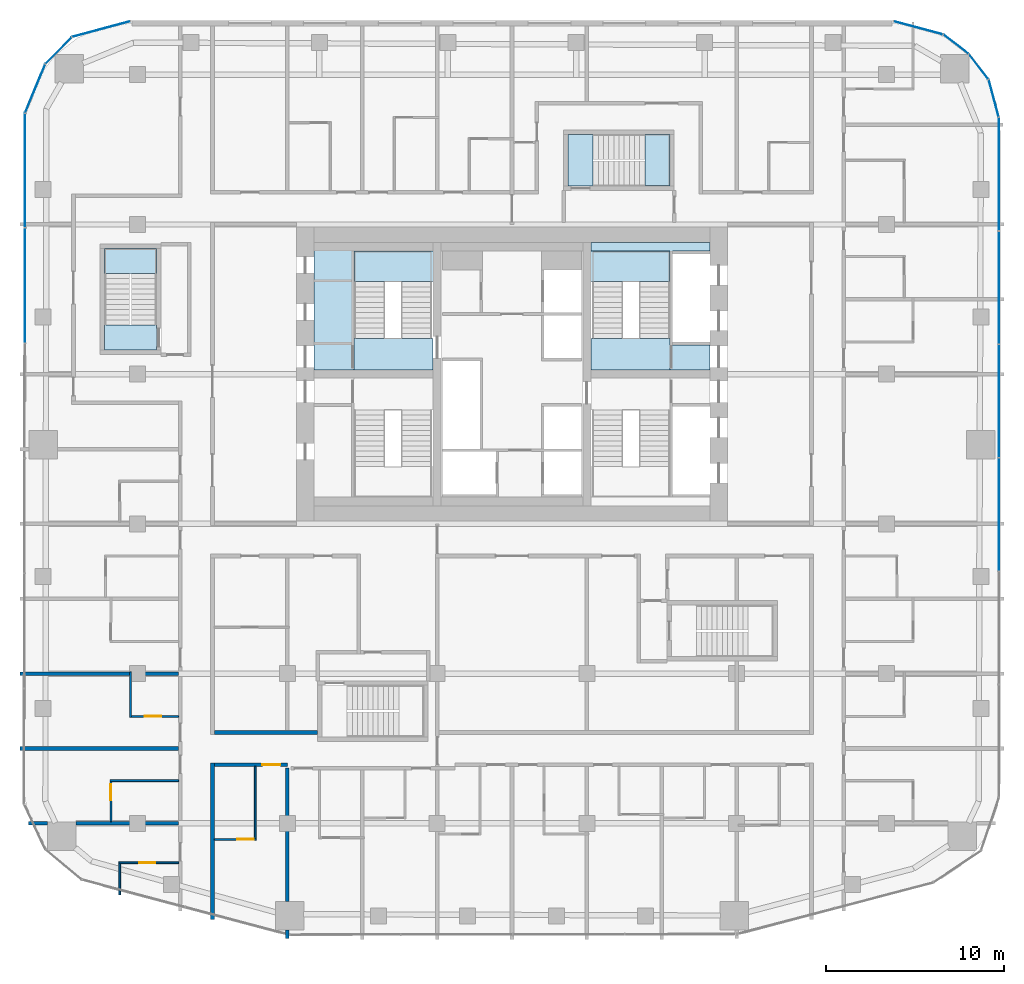
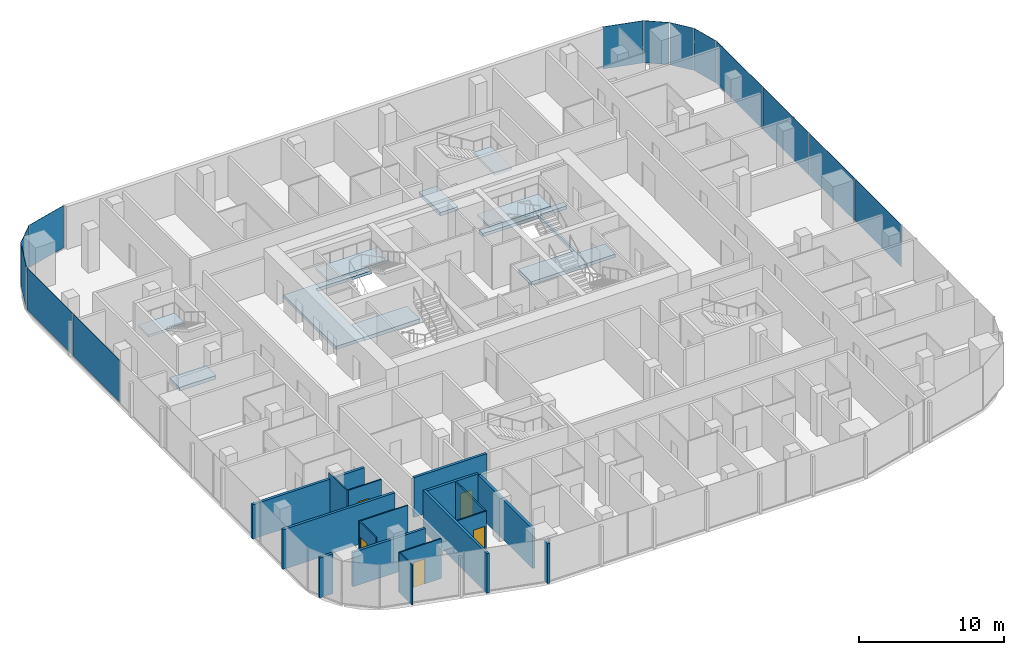
# One storey, part 13 of 23: 17 walls, 13 plates, 10 slabs, 5 doors, 5 openings, 13 elements without a shape of their own.
"""IFC4 building model written with IfcOpenShell, lengths in metres."""

from ifc_helpers import new_model, si_unit, direction, frame, frame_2d, origin, origin_2d, place, context, subcontext, project, spatial, polyline, rectangle, outline, extrude, material, layer, layer_set, type_object, element, fill, aggregate, save


model = new_model("IFC4")

# Units and contexts
model_context = context("Model", 3, precision=1e-05, world=origin(), true_north=direction((0.0, 1.0)))
body_context = subcontext(model_context, "Body", "Model", "MODEL_VIEW")
ifc_project = project(units=[si_unit("LENGTHUNIT", "METRE"), si_unit("AREAUNIT", "SQUARE_METRE"), si_unit("VOLUMEUNIT", "CUBIC_METRE"), si_unit("PLANEANGLEUNIT", "RADIAN"), si_unit("MASSUNIT", "GRAM", prefix="KILO")], contexts=[model_context])

# Site, building, storey
site_placement = place(None, origin())
site = spatial("IfcSite", under=ifc_project, at=site_placement, CompositionType="ELEMENT")
building_placement = place(site_placement, origin())
building = spatial("IfcBuilding", under=site, at=building_placement, Name="Marenta Gate Hotel Tower", CompositionType="ELEMENT")
storey_placement = place(building_placement, frame((0.0, 0.0, 104.89990234375)))
storey = spatial("IfcBuildingStorey", under=building, at=storey_placement, Name="L22", CompositionType="ELEMENT", Elevation=104.89990234375)

# Slabs
ifc_material_1 = material(Name="Concrete C40", Category="concrete")
ifc_layer_1 = layer(ifc_material_1, 0.260009765625)
ifc_layer_set_1 = layer_set([ifc_layer_1], Name="Concrete C40")
slab_type_1 = type_object("IfcSlabType", Name="Core floor slab 260", PredefinedType="FLOOR", material=ifc_layer_set_1)
slab_1_placement = place(storey_placement, frame((0.0, 0.0, -0.260009765625)))
element("IfcSlab", 1, at=slab_1_placement, inside=storey, type_object=slab_type_1, Name="L22-CF-3", PredefinedType="FLOOR", context=body_context, shape_type="SweptSolid", body=[
    extrude(outline(polyline([(8.85009765625, 15.300048828125), (4.425048828125, 15.300048828125), (4.425048828125, 15.800048828125), (11.10009765625, 15.800048828125), (11.10009765625, 15.300048828125), (9.0, 15.300048828125), (9.0, 15.14990234375), (9.0, 12.75), (9.0, 12.60009765625), (9.0, 10.199951171875), (9.0, 10.050048828125), (11.10009765625, 10.050048828125), (11.10009765625, 8.625), (8.85009765625, 8.625), (8.85009765625, 8.699951171875), (8.85009765625, 10.39990234375), (8.85009765625, 15.300048828125)])), origin(), (0.0, 0.0, 1.0), 0.260009765625),
])
slab_2_placement = place(storey_placement, frame((0.0, 0.0, -0.260009765625)))
element("IfcSlab", 2, at=slab_2_placement, inside=storey, type_object=slab_type_1, Name="L22-CF-6", PredefinedType="FLOOR", context=body_context, shape_type="SweptSolid", body=[
    extrude(outline(polyline([(-4.425048828125, 15.300048828125), (-8.85009765625, 15.300048828125), (-8.85009765625, 10.39990234375), (-8.85009765625, 8.699951171875), (-8.85009765625, 8.625), (-11.10009765625, 8.625), (-11.10009765625, 15.800048828125), (-4.425048828125, 15.800048828125), (-4.425048828125, 15.300048828125)])), origin(), (0.0, 0.0, 1.0), 0.260009765625),
])

# Stair, slab
ifc_material_2 = material(Name="Concrete C40", Category="concrete")
stair_type_1 = type_object("IfcStairType", Name="Core exit stair 1700 wide", PredefinedType="HALF_TURN_STAIR", material=ifc_material_2)
stair_1_placement = place(storey_placement, origin())
stair_1 = element("IfcStair", 3, at=stair_1_placement, inside=storey, type_object=stair_type_1, Name="Exit stair 2", PredefinedType="HALF_TURN_STAIR")
ifc_material_3 = material(Name="Concrete C40", Category="concrete")
ifc_layer_2 = layer(ifc_material_3, 0.199951171875)
ifc_layer_set_2 = layer_set([ifc_layer_2], Name="Concrete C40")
slab_type_2 = type_object("IfcSlabType", Name="Core stair landing 200", PredefinedType="LANDING", material=ifc_layer_set_2)
slab_3_placement = place(storey_placement, frame((0.0, 0.0, 1.60009765625)))
slab_3 = element("IfcSlab", 4, at=slab_3_placement, type_object=slab_type_2, Name="SL-200 ST2 landing 1", PredefinedType="LANDING", context=body_context, shape_type="SweptSolid", body=[
    extrude(outline(polyline([(-8.85009765625, 13.590087890625), (-3.97509765625, 13.590087890625), (-3.97509765625, 15.300048828125), (-8.85009765625, 15.300048828125), (-8.85009765625, 13.590087890625)])), origin(), (0.0, 0.0, 1.0), 0.199951171875),
])
aggregate(stair_1, [slab_3])

stair_2_placement = place(storey_placement, origin())
stair_2 = element("IfcStair", 5, at=stair_2_placement, inside=storey, type_object=stair_type_1, Name="Exit stair 4", PredefinedType="HALF_TURN_STAIR")
slab_4_placement = place(storey_placement, frame((0.0, 0.0, 1.60009765625)))
slab_4 = element("IfcSlab", 6, at=slab_4_placement, type_object=slab_type_2, Name="SL-200 ST4 landing 1", PredefinedType="LANDING", context=body_context, shape_type="SweptSolid", body=[
    extrude(outline(polyline([(3.97509765625, 13.590087890625), (8.85009765625, 13.590087890625), (8.85009765625, 15.300048828125), (3.97509765625, 15.300048828125), (3.97509765625, 13.590087890625)])), origin(), (0.0, 0.0, 1.0), 0.199951171875),
])
aggregate(stair_2, [slab_4])

# Curtain wall, plate
ifc_material_4 = material(Name="Tinted insulated glass in bronze anodised frame", Category="glass")
ifc_layer_3 = layer(ifc_material_4, 0.1201171875)
ifc_layer_set_3 = layer_set([ifc_layer_3], Name="Tinted insulated glass in bronze anodised frame")
curtain_wall_type = type_object("IfcCurtainWallType", Name="Tower unitised curtain wall CW1", PredefinedType="NOTDEFINED", material=ifc_layer_set_3)
curtain_wall_1_placement = place(storey_placement, origin())
curtain_wall_1 = element("IfcCurtainWall", 7, at=curtain_wall_1_placement, inside=storey, type_object=curtain_wall_type, Name="CW1 run G00", PredefinedType="NOTDEFINED")
ifc_material_5 = material(Name="Tinted insulated glass", Category="glass")
ifc_layer_4 = layer(ifc_material_5, 0.028076171875)
ifc_layer_set_4 = layer_set([ifc_layer_4], Name="Tinted insulated glass")
plate_type = type_object("IfcPlateType", Name="Glass panel CW1 28 mm tinted insulated unit", PredefinedType="CURTAIN_PANEL", material=ifc_layer_set_4)
plate_1_placement = place(storey_placement, frame((-23.04052734375, 27.759765625, 0.06005859375), z_axis=(0.0, 0.0, 1.0), x_axis=(-0.96593059835, -0.258801234873, 0.0)))
plate_1 = element("IfcPlate", 8, at=plate_1_placement, type_object=plate_type, Name="CW1 panel 1.1", PredefinedType="CURTAIN_PANEL", context=body_context, shape_type="SweptSolid", body=[
    extrude(rectangle(XDim=3.366943359375, YDim=0.028076171875, at=origin_2d()), origin(), (0.0, 0.0, 1.0), 3.5400390625),
])
aggregate(curtain_wall_1, [plate_1])

curtain_wall_2_placement = place(storey_placement, origin())
curtain_wall_2 = element("IfcCurtainWall", 9, at=curtain_wall_2_placement, inside=storey, type_object=curtain_wall_type, Name="CW1 run G01", PredefinedType="NOTDEFINED")
plate_2_placement = place(storey_placement, frame((-25.440673828125, 26.550048828125, 0.06005859375), z_axis=(0.0, 0.0, 1.0), x_axis=(-0.707106781187, -0.707106781187, 0.0)))
plate_2 = element("IfcPlate", 10, at=plate_2_placement, type_object=plate_type, Name="CW1 panel 1.1", PredefinedType="CURTAIN_PANEL", context=body_context, shape_type="SweptSolid", body=[
    extrude(rectangle(XDim=2.069091796875, YDim=0.028076171875, at=origin_2d()), origin(), (0.0, 0.0, 1.0), 3.5400390625),
])
aggregate(curtain_wall_2, [plate_2])

curtain_wall_3_placement = place(storey_placement, origin())
curtain_wall_3 = element("IfcCurtainWall", 11, at=curtain_wall_3_placement, inside=storey, type_object=curtain_wall_type, Name="CW1 run G02", PredefinedType="NOTDEFINED")
plate_3_placement = place(storey_placement, frame((-26.75390625, 24.41455078125, 0.06005859375), z_axis=(0.0, 0.0, 1.0), x_axis=(-0.382671975111, -0.923884278178, 0.0)))
plate_3 = element("IfcPlate", 12, at=plate_3_placement, type_object=plate_type, Name="CW1 panel 1.1", PredefinedType="CURTAIN_PANEL", context=body_context, shape_type="SweptSolid", body=[
    extrude(rectangle(XDim=2.919189453125, YDim=0.028076171875, at=origin_2d()), origin(), (0.0, 0.0, 1.0), 3.5400390625),
])
aggregate(curtain_wall_3, [plate_3])

# Curtain wall, plates
curtain_wall_4_placement = place(storey_placement, origin())
curtain_wall_4 = element("IfcCurtainWall", 13, at=curtain_wall_4_placement, inside=storey, type_object=curtain_wall_type, Name="CW1 run G03", PredefinedType="NOTDEFINED")
plate_4_placement = place(storey_placement, frame((-27.3173828125, 19.8212890625, 0.06005859375), z_axis=(0.0, 0.0, 1.0), x_axis=(-0.001566045546, -0.99999877375, 0.0)))
plate_4 = element("IfcPlate", 14, at=plate_4_placement, type_object=plate_type, Name="CW1 panel 1.1", PredefinedType="CURTAIN_PANEL", context=body_context, shape_type="SweptSolid", body=[
    extrude(rectangle(XDim=6.3701171875, YDim=0.028076171875, at=origin_2d()), origin(), (0.0, 0.0, 1.0), 3.5400390625),
])
plate_5_placement = place(storey_placement, frame((-27.327392578125, 13.376220703125, 0.06005859375), z_axis=(0.0, 0.0, 1.0), x_axis=(-0.001566045546, -0.99999877375, 0.0)))
plate_5 = element("IfcPlate", 15, at=plate_5_placement, type_object=plate_type, Name="CW1 panel 2.1", PredefinedType="CURTAIN_PANEL", context=body_context, shape_type="SweptSolid", body=[
    extrude(rectangle(XDim=6.39990234375, YDim=0.028076171875, at=origin_2d()), origin(), (0.0, 0.0, 1.0), 3.5400390625),
])
aggregate(curtain_wall_4, [plate_4, plate_5])

curtain_wall_5_placement = place(storey_placement, origin())
curtain_wall_5 = element("IfcCurtainWall", 16, at=curtain_wall_5_placement, inside=storey, type_object=curtain_wall_type, Name="CW1 run G11", PredefinedType="NOTDEFINED")
plate_6_placement = place(storey_placement, frame((27.31396484375, 0.531982421875, 0.06005859375), z_axis=(0.0, 0.0, 1.0), x_axis=(0.0, 1.0, 0.0)))
plate_6 = element("IfcPlate", 17, at=plate_6_placement, type_object=plate_type, Name="CW1 panel 3.1", PredefinedType="CURTAIN_PANEL", context=body_context, shape_type="SweptSolid", body=[
    extrude(rectangle(XDim=6.300048828125, YDim=0.028076171875, at=origin_2d()), origin(), (0.0, 0.0, 1.0), 3.5400390625),
])
plate_7_placement = place(storey_placement, frame((27.31396484375, 6.891845703125, 0.06005859375), z_axis=(0.0, 0.0, 1.0), x_axis=(0.0, 1.0, 0.0)))
plate_7 = element("IfcPlate", 18, at=plate_7_placement, type_object=plate_type, Name="CW1 panel 4.1", PredefinedType="CURTAIN_PANEL", context=body_context, shape_type="SweptSolid", body=[
    extrude(rectangle(XDim=6.300048828125, YDim=0.028076171875, at=origin_2d()), origin(), (0.0, 0.0, 1.0), 3.5400390625),
])
plate_8_placement = place(storey_placement, frame((27.31396484375, 13.251953125, 0.06005859375), z_axis=(0.0, 0.0, 1.0), x_axis=(0.0, 1.0, 0.0)))
plate_8 = element("IfcPlate", 19, at=plate_8_placement, type_object=plate_type, Name="CW1 panel 5.1", PredefinedType="CURTAIN_PANEL", context=body_context, shape_type="SweptSolid", body=[
    extrude(rectangle(XDim=6.300048828125, YDim=0.028076171875, at=origin_2d()), origin(), (0.0, 0.0, 1.0), 3.5400390625),
])
plate_9_placement = place(storey_placement, frame((27.31396484375, 19.626953125, 0.06005859375), z_axis=(0.0, 0.0, 1.0), x_axis=(0.0, 1.0, 0.0)))
plate_9 = element("IfcPlate", 20, at=plate_9_placement, type_object=plate_type, Name="CW1 panel 6.1", PredefinedType="CURTAIN_PANEL", context=body_context, shape_type="SweptSolid", body=[
    extrude(rectangle(XDim=6.330078125, YDim=0.028076171875, at=origin_2d()), origin(), (0.0, 0.0, 1.0), 3.5400390625),
])
aggregate(curtain_wall_5, [plate_6, plate_7, plate_8, plate_9])

# Curtain wall, plate
curtain_wall_6_placement = place(storey_placement, origin())
curtain_wall_6 = element("IfcCurtainWall", 21, at=curtain_wall_6_placement, inside=storey, type_object=curtain_wall_type, Name="CW1 run G12", PredefinedType="NOTDEFINED")
plate_10_placement = place(storey_placement, frame((27.022216796875, 23.880615234375, 0.06005859375), z_axis=(0.0, 0.0, 1.0), x_axis=(-0.258822651658, 0.965924859908, 0.0)))
plate_10 = element("IfcPlate", 22, at=plate_10_placement, type_object=plate_type, Name="CW1 panel 1.1", PredefinedType="CURTAIN_PANEL", context=body_context, shape_type="SweptSolid", body=[
    extrude(rectangle(XDim=2.13427734375, YDim=0.028076171875, at=origin_2d()), origin(), (0.0, 0.0, 1.0), 3.5400390625),
])
aggregate(curtain_wall_6, [plate_10])

curtain_wall_7_placement = place(storey_placement, origin())
curtain_wall_7 = element("IfcCurtainWall", 23, at=curtain_wall_7_placement, inside=storey, type_object=curtain_wall_type, Name="CW1 run G13", PredefinedType="NOTDEFINED")
plate_11_placement = place(storey_placement, frame((26.177490234375, 25.652099609375, 0.06005859375), z_axis=(0.0, 0.0, 1.0), x_axis=(-0.608796116694, 0.793326722289, 0.0)))
plate_11 = element("IfcPlate", 24, at=plate_11_placement, type_object=plate_type, Name="CW1 panel 1.1", PredefinedType="CURTAIN_PANEL", context=body_context, shape_type="SweptSolid", body=[
    extrude(rectangle(XDim=1.747802734375, YDim=0.028076171875, at=origin_2d()), origin(), (0.0, 0.0, 1.0), 3.5400390625),
])
aggregate(curtain_wall_7, [plate_11])

curtain_wall_8_placement = place(storey_placement, origin())
curtain_wall_8 = element("IfcCurtainWall", 25, at=curtain_wall_8_placement, inside=storey, type_object=curtain_wall_type, Name="CW1 run G14", PredefinedType="NOTDEFINED")
plate_12_placement = place(storey_placement, frame((24.904541015625, 26.9140625, 0.06005859375), z_axis=(0.0, 0.0, 1.0), x_axis=(-0.793326722289, 0.608796116694, 0.0)))
plate_12 = element("IfcPlate", 26, at=plate_12_placement, type_object=plate_type, Name="CW1 panel 1.1", PredefinedType="CURTAIN_PANEL", context=body_context, shape_type="SweptSolid", body=[
    extrude(rectangle(XDim=1.747802734375, YDim=0.028076171875, at=origin_2d()), origin(), (0.0, 0.0, 1.0), 3.5400390625),
])
aggregate(curtain_wall_8, [plate_12])

curtain_wall_9_placement = place(storey_placement, origin())
curtain_wall_9 = element("IfcCurtainWall", 27, at=curtain_wall_9_placement, inside=storey, type_object=curtain_wall_type, Name="CW1 run G15", PredefinedType="NOTDEFINED")
plate_13_placement = place(storey_placement, frame((22.783935546875, 27.82861328125, 0.06005859375), z_axis=(0.0, 0.0, 1.0), x_axis=(-0.965929324305, 0.258805989975, 0.0)))
plate_13 = element("IfcPlate", 28, at=plate_13_placement, type_object=plate_type, Name="CW1 panel 1.1", PredefinedType="CURTAIN_PANEL", context=body_context, shape_type="SweptSolid", body=[
    extrude(rectangle(XDim=2.83544921875, YDim=0.028076171875, at=origin_2d()), origin(), (0.0, 0.0, 1.0), 3.5400390625),
])
aggregate(curtain_wall_9, [plate_13])

# Stair, slab
ifc_material_6 = material(Name="Concrete C40", Category="concrete")
stair_type_2 = type_object("IfcStairType", Name="Remote exit stair 1400 wide", PredefinedType="HALF_TURN_STAIR", material=ifc_material_6)
stair_3_placement = place(storey_placement, origin())
stair_3 = element("IfcStair", 29, at=stair_3_placement, inside=storey, type_object=stair_type_2, Name="Exit stair RS-Z1-3", PredefinedType="HALF_TURN_STAIR")
ifc_material_7 = material(Name="Concrete C40", Category="concrete")
ifc_layer_5 = layer(ifc_material_7, 0.199951171875)
ifc_layer_set_5 = layer_set([ifc_layer_5], Name="Concrete C40")
slab_type_3 = type_object("IfcSlabType", Name="Remote stair landing 200", PredefinedType="LANDING", material=ifc_layer_set_5)
slab_5_placement = place(storey_placement, frame((0.0, 0.0, 1.60009765625)))
slab_5 = element("IfcSlab", 30, at=slab_5_placement, type_object=slab_type_3, Name="RL-200 RS-Z1-3 landing 1", PredefinedType="LANDING", context=body_context, shape_type="SweptSolid", body=[
    extrude(outline(polyline([(-22.85009765625, 14.050048828125), (-19.949951171875, 14.050048828125), (-19.949951171875, 15.449951171875), (-22.85009765625, 15.449951171875), (-22.85009765625, 14.050048828125)])), origin(), (0.0, 0.0, 1.0), 0.199951171875),
])
aggregate(stair_3, [slab_5])

stair_4_placement = place(storey_placement, origin())
stair_4 = element("IfcStair", 31, at=stair_4_placement, inside=storey, type_object=stair_type_2, Name="Exit stair RS-Z2-4", PredefinedType="HALF_TURN_STAIR")
slab_6_placement = place(storey_placement, frame((0.0, 0.0, 1.60009765625)))
slab_6 = element("IfcSlab", 32, at=slab_6_placement, type_object=slab_type_3, Name="RL-200 RS-Z2-4 landing 1", PredefinedType="LANDING", context=body_context, shape_type="SweptSolid", body=[
    extrude(outline(polyline([(7.449951171875, 18.949951171875), (8.85009765625, 18.949951171875), (8.85009765625, 21.85009765625), (7.449951171875, 21.85009765625), (7.449951171875, 18.949951171875)])), origin(), (0.0, 0.0, 1.0), 0.199951171875),
])
aggregate(stair_4, [slab_6])

# Slabs
ifc_material_8 = material(Name="Concrete C40", Category="concrete")
ifc_layer_6 = layer(ifc_material_8, 0.300048828125)
ifc_layer_set_6 = layer_set([ifc_layer_6], Name="Concrete C40")
slab_type_4 = type_object("IfcSlabType", Name="Stair floor landing slab 300", PredefinedType="FLOOR", material=ifc_layer_set_6)
slab_7_placement = place(storey_placement, frame((0.0, 0.0, -0.2998046875)))
element("IfcSlab", 33, at=slab_7_placement, inside=storey, type_object=slab_type_4, Name="L22-CL-ST2-1", PredefinedType="FLOOR", context=body_context, shape_type="SweptSolid", body=[
    extrude(outline(polyline([(-4.425048828125, 8.625), (-8.85009765625, 8.625), (-8.85009765625, 8.699951171875), (-8.85009765625, 10.39990234375), (-4.425048828125, 10.39990234375), (-4.425048828125, 8.625)])), origin(), (0.0, 0.0, 1.0), 0.2998046875),
])
slab_8_placement = place(storey_placement, frame((0.0, 0.0, -0.2998046875)))
element("IfcSlab", 34, at=slab_8_placement, inside=storey, type_object=slab_type_4, Name="L22-CL-ST4-1", PredefinedType="FLOOR", context=body_context, shape_type="SweptSolid", body=[
    extrude(outline(polyline([(4.425048828125, 8.625), (4.425048828125, 10.39990234375), (8.85009765625, 10.39990234375), (8.85009765625, 8.699951171875), (8.85009765625, 8.625), (4.425048828125, 8.625)])), origin(), (0.0, 0.0, 1.0), 0.2998046875),
])
slab_9_placement = place(storey_placement, frame((0.0, 0.0, -0.2998046875)))
element("IfcSlab", 35, at=slab_9_placement, inside=storey, type_object=slab_type_4, Name="L22-RS-Z1-3-CL", PredefinedType="FLOOR", context=body_context, shape_type="SweptSolid", body=[
    extrude(outline(polyline([(-19.949951171875, 9.75), (-19.949951171875, 11.14990234375), (-22.85009765625, 11.14990234375), (-22.85009765625, 9.75), (-19.949951171875, 9.75)])), origin(), (0.0, 0.0, 1.0), 0.2998046875),
])
slab_10_placement = place(storey_placement, frame((0.0, 0.0, -0.2998046875)))
element("IfcSlab", 36, at=slab_10_placement, inside=storey, type_object=slab_type_4, Name="L22-RS-Z2-4-CL", PredefinedType="FLOOR", context=body_context, shape_type="SweptSolid", body=[
    extrude(outline(polyline([(4.550048828125, 18.949951171875), (4.550048828125, 21.85009765625), (3.14990234375, 21.85009765625), (3.14990234375, 18.949951171875), (4.550048828125, 18.949951171875)])), origin(), (0.0, 0.0, 1.0), 0.2998046875),
])

# Wall
ifc_material_9 = material(Name="Concrete blockwork", Category="masonry")
ifc_layer_7 = layer(ifc_material_9, 0.199951171875)
ifc_layer_set_7 = layer_set([ifc_layer_7], Name="Concrete blockwork")
wall_type_1 = type_object("IfcWallType", Name="Room corridor wall 200 EI 120", PredefinedType="PARTITIONING", material=ifc_layer_set_7)
wall_1_placement = place(storey_placement, frame((-16.699951171875, -11.699951171875, 0.0), z_axis=(0.0, 0.0, 1.0), x_axis=(1.0, 0.0, 0.0)))
element("IfcWall", 37, at=wall_1_placement, inside=storey, type_object=wall_type_1, Name="L22-PTN-W037", PredefinedType="PARTITIONING", context=body_context, shape_type="SweptSolid", body=[
    extrude(rectangle(XDim=5.800048828125, YDim=0.199951171875, at=frame_2d((2.89990234375, 0.0))), origin(), (0.0, 0.0, 1.0), 3.340087890625),
])

# Wall, opening, door
ifc_material_10 = material(Name="Gypsum board on steel stud", Category="steel")
ifc_layer_8 = layer(ifc_material_10, 0.199951171875)
ifc_layer_set_8 = layer_set([ifc_layer_8], Name="Gypsum board on steel stud")
wall_type_2 = type_object("IfcWallType", Name="Room corridor wall 200 EI 60", PredefinedType="PARTITIONING", material=ifc_layer_set_8)
wall_2_placement = place(storey_placement, frame((-16.699951171875, -13.5, 0.0), z_axis=(0.0, 0.0, 1.0), x_axis=(1.0, 0.0, 0.0)))
wall_2 = element("IfcWall", 38, at=wall_2_placement, inside=storey, type_object=wall_type_2, Name="L22-PTN-W029", PredefinedType="PARTITIONING", context=body_context, shape_type="SweptSolid", body=[
    extrude(rectangle(XDim=4.099853515625, YDim=0.199951171875, at=frame_2d((2.0498046875, 0.0))), origin(), (0.0, 0.0, 1.0), 3.340087890625),
])
opening_1_placement = place(wall_2_placement, frame((2.699951171875, 0.0, 0.0)))
opening_1 = element("IfcOpeningElement", 39, at=opening_1_placement, cuts=wall_2, Name="Opening G08-37", PredefinedType="OPENING", context=body_context, shape_type="SweptSolid", body=[
    extrude(rectangle(XDim=1.0, YDim=2.10009765625, at=frame_2d((0.5, 1.050048828125))), frame((0.0, 0.10009765625, 0.0), z_axis=(0.0, -1.0, 0.0), x_axis=(1.0, 0.0, 0.0)), (0.0, 0.0, 1.0), 0.199951171875),
])
ifc_material_11 = material(Name="Timber door leaf", Category="wood")
door_type_1 = type_object("IfcDoorType", Name="Guest room door 1000x2100 EI 30", OperationType="NOTDEFINED", PredefinedType="DOOR", material=ifc_material_11)
door_1_placement = place(opening_1_placement, origin())
door_1 = element("IfcDoor", 40, at=door_1_placement, inside=storey, type_object=door_type_1, Name="L22-PD-D037", OperationType="SINGLE_SWING_LEFT", OverallHeight=2.10009765625, OverallWidth=1.0, PredefinedType="DOOR", context=body_context, shape_type="SweptSolid", body=[
    extrude(rectangle(XDim=1.0, YDim=2.10009765625, at=frame_2d((0.5, 1.050048828125))), frame((0.0, 0.02490234375, 0.0), z_axis=(0.0, -1.0, 0.0), x_axis=(1.0, 0.0, 0.0)), (0.0, 0.0, 1.0), 0.050048828125),
])
fill(opening_1, door_1)

# Wall
wall_3_placement = place(storey_placement, frame((-16.800048828125, -22.18603515625, 0.0), z_axis=(0.0, 0.0, 1.0), x_axis=(0.0, 1.0, 0.0)))
element("IfcWall", 41, at=wall_3_placement, inside=storey, type_object=wall_type_2, Name="L22-PTN-W103", PredefinedType="PARTITIONING", context=body_context, shape_type="SweptSolid", body=[
    extrude(rectangle(XDim=8.7861328125, YDim=0.199951171875, at=frame_2d((4.39306640625, 0.0))), origin(), (0.0, 0.0, 1.0), 3.340087890625),
])

# Wall, opening, door
ifc_material_12 = material(Name="Gypsum board on steel stud", Category="steel")
ifc_layer_9 = layer(ifc_material_12, 0.10009765625)
ifc_layer_set_9 = layer_set([ifc_layer_9], Name="Gypsum board on steel stud")
wall_type_3 = type_object("IfcWallType", Name="Room partition 100", PredefinedType="PARTITIONING", material=ifc_layer_set_9)
wall_4_placement = place(storey_placement, frame((-22.050048828125, -19.008056640625, 0.0), z_axis=(0.0, 0.0, 1.0), x_axis=(1.0, 0.0, 0.0)))
wall_4 = element("IfcWall", 42, at=wall_4_placement, inside=storey, type_object=wall_type_3, Name="L22-PTN-W009", PredefinedType="PARTITIONING", context=body_context, shape_type="SweptSolid", body=[
    extrude(rectangle(XDim=3.35009765625, YDim=0.10009765625, at=frame_2d((1.675048828125, 0.0))), origin(), (0.0, 0.0, 1.0), 3.340087890625),
])
opening_2_placement = place(wall_4_placement, frame((1.1298828125, 0.0, 0.0)))
opening_2 = element("IfcOpeningElement", 43, at=opening_2_placement, cuts=wall_4, Name="Opening G08-54", PredefinedType="OPENING", context=body_context, shape_type="SweptSolid", body=[
    extrude(rectangle(XDim=0.89990234375, YDim=2.10009765625, at=frame_2d((0.449951171875, 1.050048828125))), frame((0.0, 0.050048828125, 0.0), z_axis=(0.0, -1.0, 0.0), x_axis=(1.0, 0.0, 0.0)), (0.0, 0.0, 1.0), 0.10009765625),
])
ifc_material_13 = material(Name="Timber door leaf", Category="wood")
door_type_2 = type_object("IfcDoorType", Name="Guest bathroom door 900x2100", OperationType="NOTDEFINED", PredefinedType="DOOR", material=ifc_material_13)
door_2_placement = place(opening_2_placement, origin())
door_2 = element("IfcDoor", 44, at=door_2_placement, inside=storey, type_object=door_type_2, Name="L22-PD-D054", OperationType="SINGLE_SWING_LEFT", OverallHeight=2.10009765625, OverallWidth=0.89990234375, PredefinedType="DOOR", context=body_context, shape_type="SweptSolid", body=[
    extrude(rectangle(XDim=0.89990234375, YDim=2.10009765625, at=frame_2d((0.449951171875, 1.050048828125))), frame((0.0, 0.02490234375, 0.0), z_axis=(0.0, -1.0, 0.0), x_axis=(1.0, 0.0, 0.0)), (0.0, 0.0, 1.0), 0.050048828125),
])
fill(opening_2, door_2)

wall_5_placement = place(storey_placement, frame((-16.699951171875, -17.699951171875, 0.0), z_axis=(0.0, 0.0, 1.0), x_axis=(1.0, 0.0, 0.0)))
wall_5 = element("IfcWall", 45, at=wall_5_placement, inside=storey, type_object=wall_type_3, Name="L22-PTN-W011", PredefinedType="PARTITIONING", context=body_context, shape_type="SweptSolid", body=[
    extrude(rectangle(XDim=2.349853515625, YDim=0.10009765625, at=frame_2d((1.1748046875, 0.0))), origin(), (0.0, 0.0, 1.0), 3.340087890625),
])
opening_3_placement = place(wall_5_placement, frame((1.300048828125, 0.0, 0.0)))
opening_3 = element("IfcOpeningElement", 46, at=opening_3_placement, cuts=wall_5, Name="Opening G08-38", PredefinedType="OPENING", context=body_context, shape_type="SweptSolid", body=[
    extrude(rectangle(XDim=0.89990234375, YDim=2.10009765625, at=frame_2d((0.449951171875, 1.050048828125))), frame((0.0, 0.050048828125, 0.0), z_axis=(0.0, -1.0, 0.0), x_axis=(1.0, 0.0, 0.0)), (0.0, 0.0, 1.0), 0.10009765625),
])
door_3_placement = place(opening_3_placement, origin())
door_3 = element("IfcDoor", 47, at=door_3_placement, inside=storey, type_object=door_type_2, Name="L22-PD-D038", OperationType="SINGLE_SWING_RIGHT", OverallHeight=2.10009765625, OverallWidth=0.89990234375, PredefinedType="DOOR", context=body_context, shape_type="SweptSolid", body=[
    extrude(rectangle(XDim=0.89990234375, YDim=2.10009765625, at=frame_2d((0.449951171875, 1.050048828125))), frame((0.0, 0.02490234375, 0.0), z_axis=(0.0, -1.0, 0.0), x_axis=(1.0, 0.0, 0.0)), (0.0, 0.0, 1.0), 0.050048828125),
])
fill(opening_3, door_3)

# Wall
wall_6_placement = place(storey_placement, frame((-22.550048828125, -14.39990234375, 0.0), z_axis=(0.0, 0.0, 1.0), x_axis=(1.0, 0.0, 0.0)))
element("IfcWall", 48, at=wall_6_placement, inside=storey, type_object=wall_type_3, Name="L22-PTN-W026", PredefinedType="PARTITIONING", context=body_context, shape_type="SweptSolid", body=[
    extrude(rectangle(XDim=3.85009765625, YDim=0.10009765625, at=frame_2d((1.925048828125, 0.0))), origin(), (0.0, 0.0, 1.0), 3.340087890625),
])

# Wall, opening, door
wall_7_placement = place(storey_placement, frame((-21.35009765625, -10.800048828125, 0.0), z_axis=(0.0, 0.0, 1.0), x_axis=(1.0, 0.0, 0.0)))
wall_7 = element("IfcWall", 49, at=wall_7_placement, inside=storey, type_object=wall_type_3, Name="L22-PTN-W040", PredefinedType="PARTITIONING", context=body_context, shape_type="SweptSolid", body=[
    extrude(rectangle(XDim=2.650146484375, YDim=0.10009765625, at=frame_2d((1.3251953125, 0.0))), origin(), (0.0, 0.0, 1.0), 3.340087890625),
])
opening_4_placement = place(wall_7_placement, frame((0.760009765625, 0.0, 0.0)))
opening_4 = element("IfcOpeningElement", 50, at=opening_4_placement, cuts=wall_7, Name="Opening G08-58", PredefinedType="OPENING", context=body_context, shape_type="SweptSolid", body=[
    extrude(rectangle(XDim=0.89990234375, YDim=2.10009765625, at=frame_2d((0.449951171875, 1.050048828125))), frame((0.0, 0.050048828125, 0.0), z_axis=(0.0, -1.0, 0.0), x_axis=(1.0, 0.0, 0.0)), (0.0, 0.0, 1.0), 0.10009765625),
])
door_4_placement = place(opening_4_placement, origin())
door_4 = element("IfcDoor", 51, at=door_4_placement, inside=storey, type_object=door_type_2, Name="L22-PD-D058", OperationType="SINGLE_SWING_LEFT", OverallHeight=2.10009765625, OverallWidth=0.89990234375, PredefinedType="DOOR", context=body_context, shape_type="SweptSolid", body=[
    extrude(rectangle(XDim=0.89990234375, YDim=2.10009765625, at=frame_2d((0.449951171875, 1.050048828125))), frame((0.0, 0.02490234375, 0.0), z_axis=(0.0, -1.0, 0.0), x_axis=(1.0, 0.0, 0.0)), (0.0, 0.0, 1.0), 0.050048828125),
])
fill(opening_4, door_4)

# Walls
wall_8_placement = place(storey_placement, frame((-14.39990234375, -17.64990234375, 0.0), z_axis=(0.0, 0.0, 1.0), x_axis=(0.0, 1.0, 0.0)))
element("IfcWall", 52, at=wall_8_placement, inside=storey, type_object=wall_type_3, Name="L22-PTN-W100", PredefinedType="PARTITIONING", context=body_context, shape_type="SweptSolid", body=[
    extrude(rectangle(XDim=4.0498046875, YDim=0.10009765625, at=frame_2d((2.02490234375, 0.0))), origin(), (0.0, 0.0, 1.0), 3.340087890625),
])
wall_9_placement = place(storey_placement, frame((-21.39990234375, -10.85009765625, 0.0), z_axis=(0.0, 0.0, 1.0), x_axis=(0.0, 1.0, 0.0)))
element("IfcWall", 53, at=wall_9_placement, inside=storey, type_object=wall_type_3, Name="L22-PTN-W115", PredefinedType="PARTITIONING", context=body_context, shape_type="SweptSolid", body=[
    extrude(rectangle(XDim=2.550048828125, YDim=0.10009765625, at=frame_2d((1.27490234375, 0.0))), origin(), (0.0, 0.0, 1.0), 3.340087890625),
])
wall_10_placement = place(storey_placement, frame((-22.0, -20.805908203125, 0.0), z_axis=(0.0, 0.0, 1.0), x_axis=(0.0, 1.0, 0.0)))
element("IfcWall", 54, at=wall_10_placement, inside=storey, type_object=wall_type_3, Name="L22-PTN-W119", PredefinedType="PARTITIONING", context=body_context, shape_type="SweptSolid", body=[
    extrude(rectangle(XDim=1.747802734375, YDim=0.10009765625, at=frame_2d((0.8740234375, 0.0))), origin(), (0.0, 0.0, 1.0), 3.340087890625),
])

# Wall, opening, door
wall_11_placement = place(storey_placement, frame((-22.5, -16.699951171875, 0.0), z_axis=(0.0, 0.0, 1.0), x_axis=(0.0, 1.0, 0.0)))
wall_11 = element("IfcWall", 55, at=wall_11_placement, inside=storey, type_object=wall_type_3, Name="L22-PTN-W122", PredefinedType="PARTITIONING", context=body_context, shape_type="SweptSolid", body=[
    extrude(rectangle(XDim=2.25, YDim=0.10009765625, at=frame_2d((1.125, 0.0))), origin(), (0.0, 0.0, 1.0), 3.340087890625),
])
opening_5_placement = place(wall_11_placement, frame((1.199951171875, 0.0, 0.0)))
opening_5 = element("IfcOpeningElement", 56, at=opening_5_placement, cuts=wall_11, Name="Opening G08-56", PredefinedType="OPENING", context=body_context, shape_type="SweptSolid", body=[
    extrude(rectangle(XDim=0.89990234375, YDim=2.10009765625, at=frame_2d((0.449951171875, 1.050048828125))), frame((0.0, 0.050048828125, 0.0), z_axis=(0.0, -1.0, 0.0), x_axis=(1.0, 0.0, 0.0)), (0.0, 0.0, 1.0), 0.10009765625),
])
door_5_placement = place(opening_5_placement, origin())
door_5 = element("IfcDoor", 57, at=door_5_placement, inside=storey, type_object=door_type_2, Name="L22-PD-D056", OperationType="SINGLE_SWING_LEFT", OverallHeight=2.10009765625, OverallWidth=0.89990234375, PredefinedType="DOOR", context=body_context, shape_type="SweptSolid", body=[
    extrude(rectangle(XDim=0.89990234375, YDim=2.10009765625, at=frame_2d((0.449951171875, 1.050048828125))), frame((0.0, 0.02490234375, 0.0), z_axis=(0.0, -1.0, 0.0), x_axis=(1.0, 0.0, 0.0)), (0.0, 0.0, 1.0), 0.050048828125),
])
fill(opening_5, door_5)

# Walls
ifc_material_14 = material(Name="Gypsum board on steel stud", Category="steel")
ifc_layer_10 = layer(ifc_material_14, 0.199951171875)
ifc_layer_set_10 = layer_set([ifc_layer_10], Name="Gypsum board on steel stud")
wall_type_4 = type_object("IfcWallType", Name="Room party wall 200 EI 60", PredefinedType="PARTITIONING", material=ifc_layer_set_10)
wall_12_placement = place(storey_placement, frame((-27.112060546875, -16.800048828125, 0.0), z_axis=(0.0, 0.0, 1.0), x_axis=(1.0, 0.0, 0.0)))
element("IfcWall", 58, at=wall_12_placement, inside=storey, type_object=wall_type_4, Name="L22-PTN-W019", PredefinedType="PARTITIONING", context=body_context, shape_type="SweptSolid", body=[
    extrude(rectangle(XDim=1.049072265625, YDim=0.199951171875, at=frame_2d((0.5244140625, 0.0))), origin(), (0.0, 0.0, 1.0), 3.340087890625),
])
wall_13_placement = place(storey_placement, frame((-24.462890625, -16.800048828125, 0.0), z_axis=(0.0, 0.0, 1.0), x_axis=(1.0, 0.0, 0.0)))
element("IfcWall", 59, at=wall_13_placement, inside=storey, type_object=wall_type_4, Name="L22-PTN-W130", PredefinedType="PARTITIONING", context=body_context, shape_type="SweptSolid", body=[
    extrude(rectangle(XDim=5.762939453125, YDim=0.199951171875, at=frame_2d((2.88134765625, 0.0))), origin(), (0.0, 0.0, 1.0), 2.89013671875),
])
wall_14_placement = place(storey_placement, frame((-27.60009765625, -12.60009765625, 0.0), z_axis=(0.0, 0.0, 1.0), x_axis=(1.0, 0.0, 0.0)))
element("IfcWall", 60, at=wall_14_placement, inside=storey, type_object=wall_type_4, Name="L22-PTN-W035", PredefinedType="PARTITIONING", context=body_context, shape_type="SweptSolid", body=[
    extrude(rectangle(XDim=8.900146484375, YDim=0.199951171875, at=frame_2d((4.4501953125, 0.0))), origin(), (0.0, 0.0, 1.0), 3.340087890625),
])
wall_15_placement = place(storey_placement, frame((-27.60009765625, -8.39990234375, 0.0), z_axis=(0.0, 0.0, 1.0), x_axis=(1.0, 0.0, 0.0)))
element("IfcWall", 61, at=wall_15_placement, inside=storey, type_object=wall_type_4, Name="L22-PTN-W046", PredefinedType="PARTITIONING", context=body_context, shape_type="SweptSolid", body=[
    extrude(rectangle(XDim=8.900146484375, YDim=0.199951171875, at=frame_2d((4.4501953125, 0.0))), origin(), (0.0, 0.0, 1.0), 2.89013671875),
])
wall_16_placement = place(storey_placement, frame((-12.60009765625, -23.26611328125, 0.0), z_axis=(0.0, 0.0, 1.0), x_axis=(0.0, 1.0, 0.0)))
element("IfcWall", 62, at=wall_16_placement, inside=storey, type_object=wall_type_4, Name="L22-PTN-W096", PredefinedType="PARTITIONING", context=body_context, shape_type="SweptSolid", body=[
    extrude(rectangle(XDim=0.4912109375, YDim=0.199951171875, at=frame_2d((0.24560546875, 0.0))), origin(), (0.0, 0.0, 1.0), 3.340087890625),
])
wall_17_placement = place(storey_placement, frame((-12.60009765625, -21.175048828125, 0.0), z_axis=(0.0, 0.0, 1.0), x_axis=(0.0, 1.0, 0.0)))
element("IfcWall", 63, at=wall_17_placement, inside=storey, type_object=wall_type_4, Name="L22-PTN-W134", PredefinedType="PARTITIONING", context=body_context, shape_type="SweptSolid", body=[
    extrude(rectangle(XDim=7.47509765625, YDim=0.199951171875, at=frame_2d((3.737548828125, 0.0))), origin(), (0.0, 0.0, 1.0), 3.340087890625),
])

save(model, "model.ifc")
